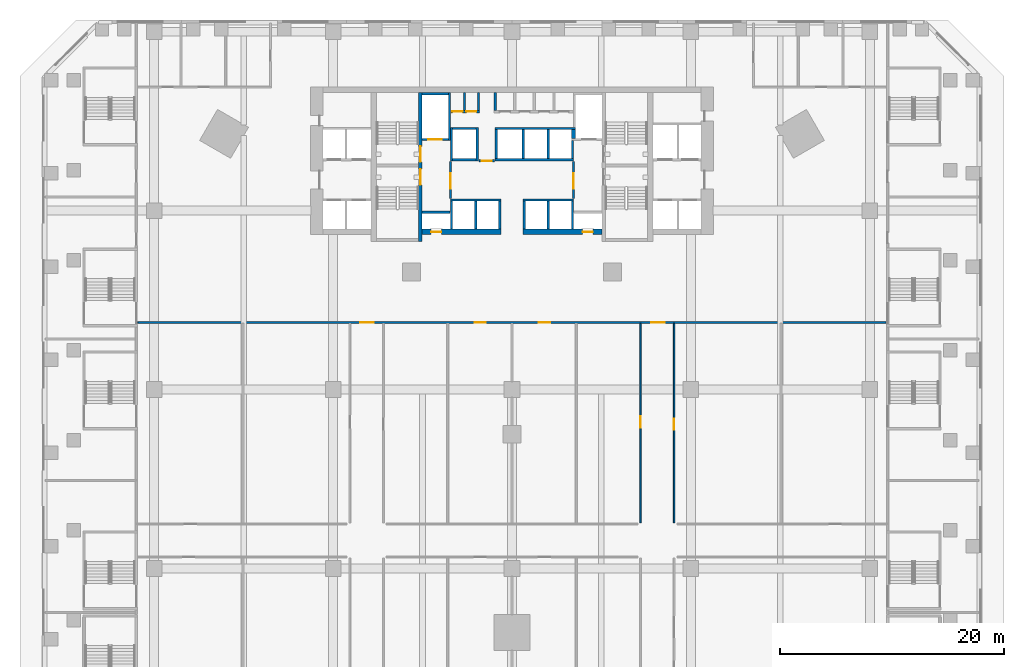
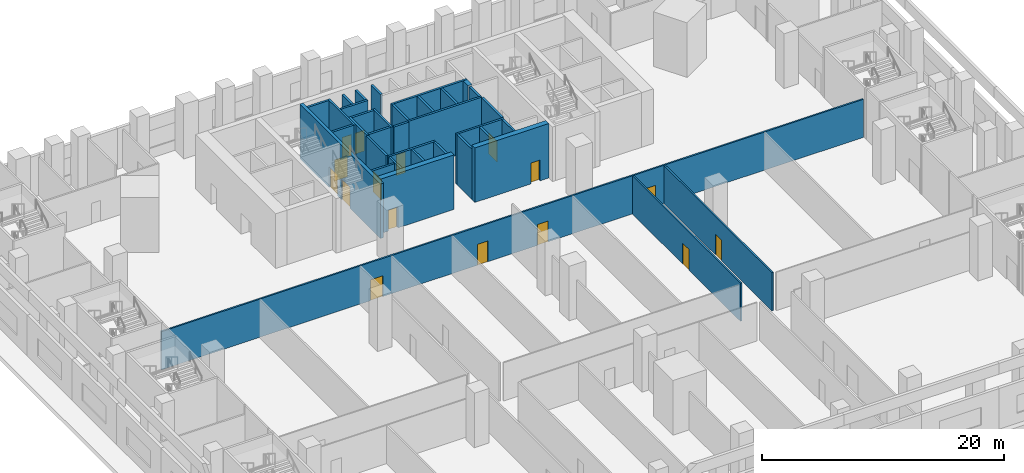
# One storey, part 7 of 22: 36 walls, 16 doors, 16 openings.
"""IFC4 building model written with IfcOpenShell, lengths in metres."""

from ifc_helpers import new_model, si_unit, direction, frame, frame_2d, origin, place, context, subcontext, project, spatial, rectangle, extrude, material, layer, layer_set, type_object, element, fill, save


model = new_model("IFC4")

# Units and contexts
model_context = context("Model", 3, precision=1e-05, world=origin(), true_north=direction((0.0, 1.0)))
body_context = subcontext(model_context, "Body", "Model", "MODEL_VIEW")
ifc_project = project(units=[si_unit("LENGTHUNIT", "METRE"), si_unit("AREAUNIT", "SQUARE_METRE"), si_unit("VOLUMEUNIT", "CUBIC_METRE"), si_unit("PLANEANGLEUNIT", "RADIAN"), si_unit("MASSUNIT", "GRAM", prefix="KILO")], contexts=[model_context])

# Site, building, storey
site_placement = place(None, origin())
site = spatial("IfcSite", under=ifc_project, at=site_placement, CompositionType="ELEMENT")
building_placement = place(site_placement, origin())
building = spatial("IfcBuilding", under=site, at=building_placement, Name="Calabash Gate Tower", CompositionType="ELEMENT")
storey_placement = place(building_placement, frame((0.0, 0.0, 34.5)))
storey = spatial("IfcBuildingStorey", under=building, at=storey_placement, Name="L04", CompositionType="ELEMENT", Elevation=34.5)

# Walls
ifc_material_1 = material(Name="Gypsum board on steel studs, mineral wool", Category="steel")
ifc_layer_1 = layer(ifc_material_1, 0.199951171875)
ifc_layer_set_1 = layer_set([ifc_layer_1], Name="Core partition 200 gypsum board")
wall_type_1 = type_object("IfcWallType", Name="Core partition 200 gypsum board", PredefinedType="PARTITIONING", material=ifc_layer_set_1)
for number, where, z_axis, x_axis, name in (
    (1, (-4.25, 16.95263671875, 0.0), (0.0, 0.0, 1.0), (0.0, 1.0, 0.0), "Core partition"),
    (2, (-3.0, 16.95263671875, 0.0), (0.0, 0.0, 1.0), (0.0, 1.0, 0.0), "Core partition"),
    (3, (-1.5, 16.95263671875, 0.0), (0.0, 0.0, 1.0), (0.0, 1.0, 0.0), "Core partition"),
):
    element("IfcWall", number, at=place(storey_placement, frame(where, z_axis=z_axis, x_axis=x_axis)), inside=storey, type_object=wall_type_1, Name=name, PredefinedType="PARTITIONING", context=body_context, shape_type="SweptSolid", body=[
        extrude(rectangle(XDim=1.599853515625, YDim=0.199951171875, at=frame_2d((0.7998046875, 0.0))), origin(), (0.0, 0.0, 1.0), 5.050048828125),
    ])

# Wall, openings, doors
ifc_material_2 = material(Name="Concrete C80/95", Category="concrete")
ifc_layer_2 = layer(ifc_material_2, 0.300048828125)
ifc_layer_set_2 = layer_set([ifc_layer_2], Name="Core wall 300 Concrete C80/95")
wall_type_2 = type_object("IfcWallType", Name="Core wall 300 Concrete C80/95", PredefinedType="SHEAR", material=ifc_layer_set_2)
wall_1_placement = place(storey_placement, frame((-8.199951171875, 5.252685546875, 0.0), z_axis=(0.0, 0.0, 1.0), x_axis=(0.0, 1.0, 0.0)))
wall_1 = element("IfcWall", 4, at=wall_1_placement, inside=storey, type_object=wall_type_2, Name="Core wall Z0-PARTW L04", PredefinedType="SHEAR", context=body_context, shape_type="SweptSolid", body=[
    extrude(rectangle(XDim=13.2998046875, YDim=0.300048828125, at=frame_2d((6.64990234375, 0.0))), origin(), (0.0, 0.0, 1.0), 5.5),
])
opening_1_placement = place(wall_1_placement, frame((7.10009765625, 0.0, 0.0)))
opening_1 = element("IfcOpeningElement", 5, at=opening_1_placement, cuts=wall_1, Name="Opening L04-001", PredefinedType="OPENING", context=body_context, shape_type="SweptSolid", body=[
    extrude(rectangle(XDim=1.39990234375, YDim=2.10009765625, at=frame_2d((0.699951171875, 1.050048828125))), frame((0.0, 0.159912109375, 0.0), z_axis=(0.0, -1.0, 0.0), x_axis=(1.0, 0.0, 0.0)), (0.0, 0.0, 1.0), 0.320068359375),
])
opening_2_placement = place(wall_1_placement, frame((5.050048828125, 0.0, 0.0)))
opening_2 = element("IfcOpeningElement", 6, at=opening_2_placement, cuts=wall_1, Name="Opening L04-002", PredefinedType="OPENING", context=body_context, shape_type="SweptSolid", body=[
    extrude(rectangle(XDim=1.39990234375, YDim=2.10009765625, at=frame_2d((0.699951171875, 1.050048828125))), frame((0.0, 0.159912109375, 0.0), z_axis=(0.0, -1.0, 0.0), x_axis=(1.0, 0.0, 0.0)), (0.0, 0.0, 1.0), 0.320068359375),
])
ifc_material_3 = material(Name="Steel fire door set with fire-resisting glazing", Category="steel")
door_type_1 = type_object("IfcDoorType", Name="Fire door D05 1400x2100 FD90", OperationType="NOTDEFINED", PredefinedType="DOOR", material=ifc_material_3)
door_1_placement = place(opening_1_placement, origin())
door_1 = element("IfcDoor", 7, at=door_1_placement, inside=storey, type_object=door_type_1, Name="Exit stair door ST1", OperationType="SINGLE_SWING_LEFT", OverallHeight=2.10009765625, OverallWidth=1.39990234375, PredefinedType="DOOR", context=body_context, shape_type="SweptSolid", body=[
    extrude(rectangle(XDim=1.39990234375, YDim=2.10009765625, at=frame_2d((0.699951171875, 1.050048828125))), frame((0.0, 0.02490234375, 0.0), z_axis=(0.0, -1.0, 0.0), x_axis=(1.0, 0.0, 0.0)), (0.0, 0.0, 1.0), 0.050048828125),
])
fill(opening_1, door_1)
door_2_placement = place(opening_2_placement, origin())
door_2 = element("IfcDoor", 8, at=door_2_placement, inside=storey, type_object=door_type_1, Name="Exit stair door ST2", OperationType="SINGLE_SWING_LEFT", OverallHeight=2.10009765625, OverallWidth=1.39990234375, PredefinedType="DOOR", context=body_context, shape_type="SweptSolid", body=[
    extrude(rectangle(XDim=1.39990234375, YDim=2.10009765625, at=frame_2d((0.699951171875, 1.050048828125))), frame((0.0, 0.02490234375, 0.0), z_axis=(0.0, -1.0, 0.0), x_axis=(1.0, 0.0, 0.0)), (0.0, 0.0, 1.0), 0.050048828125),
])
fill(opening_2, door_2)

# Wall, opening, door
ifc_material_4 = material(Name="Concrete C80/95", Category="concrete")
ifc_layer_3 = layer(ifc_material_4, 0.5)
ifc_layer_set_3 = layer_set([ifc_layer_3], Name="Core wall 500 Concrete C80/95")
wall_type_3 = type_object("IfcWallType", Name="Core wall 500 Concrete C80/95", PredefinedType="SHEAR", material=ifc_layer_set_3)
wall_2_placement = place(storey_placement, frame((-8.050048828125, 6.1025390625, 0.0), z_axis=(0.0, 0.0, 1.0), x_axis=(1.0, 0.0, 0.0)))
wall_2 = element("IfcWall", 9, at=wall_2_placement, inside=storey, type_object=wall_type_3, Name="Core wall Z0-SA L04", PredefinedType="SHEAR", context=body_context, shape_type="SweptSolid", body=[
    extrude(rectangle(XDim=7.050048828125, YDim=0.5, at=frame_2d((3.52490234375, 0.0))), origin(), (0.0, 0.0, 1.0), 5.5),
])
opening_3_placement = place(wall_2_placement, frame((0.824951171875, 0.0, 0.0)))
opening_3 = element("IfcOpeningElement", 10, at=opening_3_placement, cuts=wall_2, Name="Opening L04-014", PredefinedType="OPENING", context=body_context, shape_type="SweptSolid", body=[
    extrude(rectangle(XDim=0.89990234375, YDim=2.10009765625, at=frame_2d((0.449951171875, 1.050048828125))), frame((0.0, 0.260009765625, 0.0), z_axis=(0.0, -1.0, 0.0), x_axis=(1.0, 0.0, 0.0)), (0.0, 0.0, 1.0), 0.52001953125),
])
ifc_material_5 = material(Name="Steel fire door set with fire-resisting glazing", Category="steel")
door_type_2 = type_object("IfcDoorType", Name="Fire door D07 900x2100 FD90", OperationType="NOTDEFINED", PredefinedType="DOOR", material=ifc_material_5)
door_3_placement = place(opening_3_placement, origin())
door_3 = element("IfcDoor", 11, at=door_3_placement, inside=storey, type_object=door_type_2, Name="Electrical Riser W door", OperationType="SINGLE_SWING_LEFT", OverallHeight=2.10009765625, OverallWidth=0.89990234375, PredefinedType="DOOR", context=body_context, shape_type="SweptSolid", body=[
    extrude(rectangle(XDim=0.89990234375, YDim=2.10009765625, at=frame_2d((0.449951171875, 1.050048828125))), frame((0.0, 0.02490234375, 0.0), z_axis=(0.0, -1.0, 0.0), x_axis=(1.0, 0.0, 0.0)), (0.0, 0.0, 1.0), 0.050048828125),
])
fill(opening_3, door_3)

wall_3_placement = place(storey_placement, frame((1.0, 6.1025390625, 0.0), z_axis=(0.0, 0.0, 1.0), x_axis=(1.0, 0.0, 0.0)))
wall_3 = element("IfcWall", 12, at=wall_3_placement, inside=storey, type_object=wall_type_3, Name="Core wall Z0-SB L04", PredefinedType="SHEAR", context=body_context, shape_type="SweptSolid", body=[
    extrude(rectangle(XDim=7.050048828125, YDim=0.5, at=frame_2d((3.52490234375, 0.0))), origin(), (0.0, 0.0, 1.0), 5.5),
])
opening_4_placement = place(wall_3_placement, frame((5.324951171875, 0.0, 0.0)))
opening_4 = element("IfcOpeningElement", 13, at=opening_4_placement, cuts=wall_3, Name="Opening L04-015", PredefinedType="OPENING", context=body_context, shape_type="SweptSolid", body=[
    extrude(rectangle(XDim=0.89990234375, YDim=2.10009765625, at=frame_2d((0.449951171875, 1.050048828125))), frame((0.0, 0.260009765625, 0.0), z_axis=(0.0, -1.0, 0.0), x_axis=(1.0, 0.0, 0.0)), (0.0, 0.0, 1.0), 0.52001953125),
])
door_4_placement = place(opening_4_placement, origin())
door_4 = element("IfcDoor", 14, at=door_4_placement, inside=storey, type_object=door_type_2, Name="Mechanical Riser E door", OperationType="SINGLE_SWING_RIGHT", OverallHeight=2.10009765625, OverallWidth=0.89990234375, PredefinedType="DOOR", context=body_context, shape_type="SweptSolid", body=[
    extrude(rectangle(XDim=0.89990234375, YDim=2.10009765625, at=frame_2d((0.449951171875, 1.050048828125))), frame((0.0, 0.02490234375, 0.0), z_axis=(0.0, -1.0, 0.0), x_axis=(1.0, 0.0, 0.0)), (0.0, 0.0, 1.0), 0.050048828125),
])
fill(opening_4, door_4)

ifc_material_6 = material(Name="Gypsum board on steel studs, mineral wool", Category="steel")
ifc_layer_4 = layer(ifc_material_6, 0.14990234375)
ifc_layer_set_4 = layer_set([ifc_layer_4], Name="Partition 150 gypsum board")
wall_type_4 = type_object("IfcWallType", Name="Partition 150 gypsum board", PredefinedType="PARTITIONING", material=ifc_layer_set_4)
wall_4_placement = place(storey_placement, frame((11.5, -19.925048828125, 0.0), z_axis=(0.0, 0.0, 1.0), x_axis=(0.0, 1.0, 0.0)))
wall_4 = element("IfcWall", 15, at=wall_4_placement, inside=storey, type_object=wall_type_4, Name="Partition", PredefinedType="PARTITIONING", context=body_context, shape_type="SweptSolid", body=[
    extrude(rectangle(XDim=17.85009765625, YDim=0.14990234375, at=frame_2d((8.925048828125, 0.0))), origin(), (0.0, 0.0, 1.0), 3.85009765625),
])
opening_5_placement = place(wall_4_placement, frame((8.52490234375, 0.0, 0.0)))
opening_5 = element("IfcOpeningElement", 16, at=opening_5_placement, cuts=wall_4, Name="Opening L04-055", PredefinedType="OPENING", context=body_context, shape_type="SweptSolid", body=[
    extrude(rectangle(XDim=1.0, YDim=2.10009765625, at=frame_2d((0.5, 1.050048828125))), frame((0.0, 0.0849609375, 0.0), z_axis=(0.0, -1.0, 0.0), x_axis=(1.0, 0.0, 0.0)), (0.0, 0.0, 1.0), 0.169921875),
])
ifc_material_7 = material(Name="Steel fire door set with fire-resisting glazing", Category="steel")
door_type_3 = type_object("IfcDoorType", Name="Fire door D11 1000x2100 FD60", OperationType="NOTDEFINED", PredefinedType="DOOR", material=ifc_material_7)
door_5_placement = place(opening_5_placement, origin())
door_5 = element("IfcDoor", 17, at=door_5_placement, inside=storey, type_object=door_type_3, Name="Meeting Room 406 door", OperationType="SINGLE_SWING_RIGHT", OverallHeight=2.10009765625, OverallWidth=1.0, PredefinedType="DOOR", context=body_context, shape_type="SweptSolid", body=[
    extrude(rectangle(XDim=1.0, YDim=2.10009765625, at=frame_2d((0.5, 1.050048828125))), frame((0.0, 0.02490234375, 0.0), z_axis=(0.0, -1.0, 0.0), x_axis=(1.0, 0.0, 0.0)), (0.0, 0.0, 1.0), 0.050048828125),
])
fill(opening_5, door_5)

wall_5_placement = place(storey_placement, frame((14.5, -19.925048828125, 0.0), z_axis=(0.0, 0.0, 1.0), x_axis=(0.0, 1.0, 0.0)))
wall_5 = element("IfcWall", 18, at=wall_5_placement, inside=storey, type_object=wall_type_4, Name="Partition", PredefinedType="PARTITIONING", context=body_context, shape_type="SweptSolid", body=[
    extrude(rectangle(XDim=17.85009765625, YDim=0.14990234375, at=frame_2d((8.925048828125, 0.0))), origin(), (0.0, 0.0, 1.0), 3.85009765625),
])
opening_6_placement = place(wall_5_placement, frame((8.324951171875, 0.0, 0.0)))
opening_6 = element("IfcOpeningElement", 19, at=opening_6_placement, cuts=wall_5, Name="Opening L04-056", PredefinedType="OPENING", context=body_context, shape_type="SweptSolid", body=[
    extrude(rectangle(XDim=1.0, YDim=2.10009765625, at=frame_2d((0.5, 1.050048828125))), frame((0.0, 0.0849609375, 0.0), z_axis=(0.0, -1.0, 0.0), x_axis=(1.0, 0.0, 0.0)), (0.0, 0.0, 1.0), 0.169921875),
])
door_6_placement = place(opening_6_placement, origin())
door_6 = element("IfcDoor", 20, at=door_6_placement, inside=storey, type_object=door_type_3, Name="Meeting Room 407 door", OperationType="SINGLE_SWING_LEFT", OverallHeight=2.10009765625, OverallWidth=1.0, PredefinedType="DOOR", context=body_context, shape_type="SweptSolid", body=[
    extrude(rectangle(XDim=1.0, YDim=2.10009765625, at=frame_2d((0.5, 1.050048828125))), frame((0.0, 0.02490234375, 0.0), z_axis=(0.0, -1.0, 0.0), x_axis=(1.0, 0.0, 0.0)), (0.0, 0.0, 1.0), 0.050048828125),
])
fill(opening_6, door_6)

# Wall, openings, doors
wall_6_placement = place(storey_placement, frame((-33.4599609375, -2.0, 0.0), z_axis=(0.0, 0.0, 1.0), x_axis=(1.0, 0.0, 0.0)))
wall_6 = element("IfcWall", 21, at=wall_6_placement, inside=storey, type_object=wall_type_4, Name="Partition", PredefinedType="PARTITIONING", context=body_context, shape_type="SweptSolid", body=[
    extrude(rectangle(XDim=66.919921875, YDim=0.14990234375, at=frame_2d((33.4599609375, 0.0))), origin(), (0.0, 0.0, 1.0), 3.85009765625),
])
opening_7_placement = place(wall_6_placement, frame((19.909912109375, 0.0, 0.0)))
opening_7 = element("IfcOpeningElement", 22, at=opening_7_placement, cuts=wall_6, Name="Opening L04-046", PredefinedType="OPENING", context=body_context, shape_type="SweptSolid", body=[
    extrude(rectangle(XDim=1.199951171875, YDim=2.10009765625, at=frame_2d((0.60009765625, 1.050048828125))), frame((0.0, 0.0849609375, 0.0), z_axis=(0.0, -1.0, 0.0), x_axis=(1.0, 0.0, 0.0)), (0.0, 0.0, 1.0), 0.169921875),
])
opening_8_placement = place(wall_6_placement, frame((45.909912109375, 0.0, 0.0)))
opening_8 = element("IfcOpeningElement", 23, at=opening_8_placement, cuts=wall_6, Name="Opening L04-047", PredefinedType="OPENING", context=body_context, shape_type="SweptSolid", body=[
    extrude(rectangle(XDim=1.199951171875, YDim=2.10009765625, at=frame_2d((0.60009765625, 1.050048828125))), frame((0.0, 0.0849609375, 0.0), z_axis=(0.0, -1.0, 0.0), x_axis=(1.0, 0.0, 0.0)), (0.0, 0.0, 1.0), 0.169921875),
])
opening_9_placement = place(wall_6_placement, frame((30.110107421875, 0.0, 0.0)))
opening_9 = element("IfcOpeningElement", 24, at=opening_9_placement, cuts=wall_6, Name="Opening L04-053", PredefinedType="OPENING", context=body_context, shape_type="SweptSolid", body=[
    extrude(rectangle(XDim=1.0, YDim=2.10009765625, at=frame_2d((0.5, 1.050048828125))), frame((0.0, 0.0849609375, 0.0), z_axis=(0.0, -1.0, 0.0), x_axis=(1.0, 0.0, 0.0)), (0.0, 0.0, 1.0), 0.169921875),
])
opening_10_placement = place(wall_6_placement, frame((35.860107421875, 0.0, 0.0)))
opening_10 = element("IfcOpeningElement", 25, at=opening_10_placement, cuts=wall_6, Name="Opening L04-054", PredefinedType="OPENING", context=body_context, shape_type="SweptSolid", body=[
    extrude(rectangle(XDim=1.0, YDim=2.10009765625, at=frame_2d((0.5, 1.050048828125))), frame((0.0, 0.0849609375, 0.0), z_axis=(0.0, -1.0, 0.0), x_axis=(1.0, 0.0, 0.0)), (0.0, 0.0, 1.0), 0.169921875),
])
ifc_material_8 = material(Name="Steel fire door set with fire-resisting glazing", Category="steel")
door_type_4 = type_object("IfcDoorType", Name="Fire door D09 1200x2100 FD60", OperationType="NOTDEFINED", PredefinedType="DOOR", material=ifc_material_8)
door_7_placement = place(opening_7_placement, origin())
door_7 = element("IfcDoor", 26, at=door_7_placement, inside=storey, type_object=door_type_4, Name="Meeting Link door", OperationType="SINGLE_SWING_RIGHT", OverallHeight=2.10009765625, OverallWidth=1.199951171875, PredefinedType="DOOR", context=body_context, shape_type="SweptSolid", body=[
    extrude(rectangle(XDim=1.199951171875, YDim=2.10009765625, at=frame_2d((0.60009765625, 1.050048828125))), frame((0.0, 0.02490234375, 0.0), z_axis=(0.0, -1.0, 0.0), x_axis=(1.0, 0.0, 0.0)), (0.0, 0.0, 1.0), 0.050048828125),
])
fill(opening_7, door_7)
door_8_placement = place(opening_8_placement, origin())
door_8 = element("IfcDoor", 27, at=door_8_placement, inside=storey, type_object=door_type_4, Name="Meeting Link door", OperationType="SINGLE_SWING_RIGHT", OverallHeight=2.10009765625, OverallWidth=1.199951171875, PredefinedType="DOOR", context=body_context, shape_type="SweptSolid", body=[
    extrude(rectangle(XDim=1.199951171875, YDim=2.10009765625, at=frame_2d((0.60009765625, 1.050048828125))), frame((0.0, 0.02490234375, 0.0), z_axis=(0.0, -1.0, 0.0), x_axis=(1.0, 0.0, 0.0)), (0.0, 0.0, 1.0), 0.050048828125),
])
fill(opening_8, door_8)
door_9_placement = place(opening_9_placement, origin())
door_9 = element("IfcDoor", 28, at=door_9_placement, inside=storey, type_object=door_type_3, Name="Meeting Room 404 door", OperationType="SINGLE_SWING_LEFT", OverallHeight=2.10009765625, OverallWidth=1.0, PredefinedType="DOOR", context=body_context, shape_type="SweptSolid", body=[
    extrude(rectangle(XDim=1.0, YDim=2.10009765625, at=frame_2d((0.5, 1.050048828125))), frame((0.0, 0.02490234375, 0.0), z_axis=(0.0, -1.0, 0.0), x_axis=(1.0, 0.0, 0.0)), (0.0, 0.0, 1.0), 0.050048828125),
])
fill(opening_9, door_9)
door_10_placement = place(opening_10_placement, origin())
door_10 = element("IfcDoor", 29, at=door_10_placement, inside=storey, type_object=door_type_3, Name="Meeting Room 405 door", OperationType="SINGLE_SWING_LEFT", OverallHeight=2.10009765625, OverallWidth=1.0, PredefinedType="DOOR", context=body_context, shape_type="SweptSolid", body=[
    extrude(rectangle(XDim=1.0, YDim=2.10009765625, at=frame_2d((0.5, 1.050048828125))), frame((0.0, 0.02490234375, 0.0), z_axis=(0.0, -1.0, 0.0), x_axis=(1.0, 0.0, 0.0)), (0.0, 0.0, 1.0), 0.050048828125),
])
fill(opening_10, door_10)

# Walls
ifc_material_9 = material(Name="Concrete C40/50", Category="concrete")
ifc_layer_5 = layer(ifc_material_9, 0.199951171875)
ifc_layer_set_5 = layer_set([ifc_layer_5], Name="Shaft wall 200 Concrete C40/50")
wall_type_5 = type_object("IfcWallType", Name="Shaft wall 200 Concrete C40/50", PredefinedType="SOLIDWALL", material=ifc_layer_set_5)
for number, where, z_axis, x_axis, name in (
    (30, (-5.39990234375, 6.3525390625, 0.0), (0.0, 0.0, 1.0), (0.0, 1.0, 0.0), "Shaft wall"),
    (31, (-3.25, 6.3525390625, 0.0), (0.0, 0.0, 1.0), (0.0, 1.0, 0.0), "Shaft wall"),
    (32, (-1.10009765625, 6.3525390625, 0.0), (0.0, 0.0, 1.0), (0.0, 1.0, 0.0), "Shaft wall"),
    (33, (1.10009765625, 6.3525390625, 0.0), (0.0, 0.0, 1.0), (0.0, 1.0, 0.0), "Shaft wall"),
    (34, (3.25, 6.3525390625, 0.0), (0.0, 0.0, 1.0), (0.0, 1.0, 0.0), "Shaft wall"),
    (35, (5.39990234375, 6.3525390625, 0.0), (0.0, 0.0, 1.0), (0.0, 1.0, 0.0), "Shaft wall"),
    (36, (-8.050048828125, 7.8525390625, 0.0), (0.0, 0.0, 1.0), (1.0, 0.0, 0.0), "Shaft wall"),
):
    element("IfcWall", number, at=place(storey_placement, frame(where, z_axis=z_axis, x_axis=x_axis)), inside=storey, type_object=wall_type_5, Name=name, PredefinedType="SOLIDWALL", context=body_context, shape_type="SweptSolid", body=[
        extrude(rectangle(XDim=2.5, YDim=0.199951171875, at=frame_2d((1.25, 0.0))), origin(), (0.0, 0.0, 1.0), 5.050048828125),
    ])
for number, where, z_axis, x_axis, name in (
    (37, (-5.5, 8.95263671875, 0.0), (0.0, 0.0, 1.0), (1.0, 0.0, 0.0), "Shaft wall"),
    (38, (1.0, 8.95263671875, 0.0), (0.0, 0.0, 1.0), (1.0, 0.0, 0.0), "Shaft wall"),
):
    element("IfcWall", number, at=place(storey_placement, frame(where, z_axis=z_axis, x_axis=x_axis)), inside=storey, type_object=wall_type_5, Name=name, PredefinedType="SOLIDWALL", context=body_context, shape_type="SweptSolid", body=[
        extrude(rectangle(XDim=4.5, YDim=0.199951171875, at=frame_2d((2.25, 0.0))), origin(), (0.0, 0.0, 1.0), 5.050048828125),
    ])

# Wall, opening, door
wall_7_placement = place(storey_placement, frame((-5.5, 9.1025390625, 0.0), z_axis=(0.0, 0.0, 1.0), x_axis=(0.0, 1.0, 0.0)))
wall_7 = element("IfcWall", 39, at=wall_7_placement, inside=storey, type_object=wall_type_5, Name="Shaft wall", PredefinedType="SOLIDWALL", context=body_context, shape_type="SweptSolid", body=[
    extrude(rectangle(XDim=3.300048828125, YDim=0.199951171875, at=frame_2d((1.64990234375, 0.0))), origin(), (0.0, 0.0, 1.0), 5.050048828125),
])
opening_11_placement = place(wall_7_placement, frame((0.85009765625, 0.0, 0.0)))
opening_11 = element("IfcOpeningElement", 40, at=opening_11_placement, cuts=wall_7, Name="Opening L04-006", PredefinedType="OPENING", context=body_context, shape_type="SweptSolid", body=[
    extrude(rectangle(XDim=1.39990234375, YDim=2.10009765625, at=frame_2d((0.699951171875, 1.050048828125))), frame((0.0, 0.10986328125, 0.0), z_axis=(0.0, -1.0, 0.0), x_axis=(1.0, 0.0, 0.0)), (0.0, 0.0, 1.0), 0.219970703125),
])
door_11_placement = place(opening_11_placement, origin())
door_11 = element("IfcDoor", 41, at=door_11_placement, inside=storey, type_object=door_type_1, Name="Firefighting Lobby W door", OperationType="SINGLE_SWING_RIGHT", OverallHeight=2.10009765625, OverallWidth=1.39990234375, PredefinedType="DOOR", context=body_context, shape_type="SweptSolid", body=[
    extrude(rectangle(XDim=1.39990234375, YDim=2.10009765625, at=frame_2d((0.699951171875, 1.050048828125))), frame((0.0, 0.02490234375, 0.0), z_axis=(0.0, -1.0, 0.0), x_axis=(1.0, 0.0, 0.0)), (0.0, 0.0, 1.0), 0.050048828125),
])
fill(opening_11, door_11)

wall_8_placement = place(storey_placement, frame((5.5, 9.1025390625, 0.0), z_axis=(0.0, 0.0, 1.0), x_axis=(0.0, 1.0, 0.0)))
wall_8 = element("IfcWall", 42, at=wall_8_placement, inside=storey, type_object=wall_type_5, Name="Shaft wall", PredefinedType="SOLIDWALL", context=body_context, shape_type="SweptSolid", body=[
    extrude(rectangle(XDim=3.300048828125, YDim=0.199951171875, at=frame_2d((1.64990234375, 0.0))), origin(), (0.0, 0.0, 1.0), 5.050048828125),
])
opening_12_placement = place(wall_8_placement, frame((0.85009765625, 0.0, 0.0)))
opening_12 = element("IfcOpeningElement", 43, at=opening_12_placement, cuts=wall_8, Name="Opening L04-007", PredefinedType="OPENING", context=body_context, shape_type="SweptSolid", body=[
    extrude(rectangle(XDim=1.39990234375, YDim=2.10009765625, at=frame_2d((0.699951171875, 1.050048828125))), frame((0.0, 0.10986328125, 0.0), z_axis=(0.0, -1.0, 0.0), x_axis=(1.0, 0.0, 0.0)), (0.0, 0.0, 1.0), 0.219970703125),
])
door_12_placement = place(opening_12_placement, origin())
door_12 = element("IfcDoor", 44, at=door_12_placement, inside=storey, type_object=door_type_1, Name="Firefighting Lobby E door", OperationType="SINGLE_SWING_LEFT", OverallHeight=2.10009765625, OverallWidth=1.39990234375, PredefinedType="DOOR", context=body_context, shape_type="SweptSolid", body=[
    extrude(rectangle(XDim=1.39990234375, YDim=2.10009765625, at=frame_2d((0.699951171875, 1.050048828125))), frame((0.0, 0.02490234375, 0.0), z_axis=(0.0, -1.0, 0.0), x_axis=(1.0, 0.0, 0.0)), (0.0, 0.0, 1.0), 0.050048828125),
])
fill(opening_12, door_12)

wall_9_placement = place(storey_placement, frame((-2.949951171875, 12.45263671875, 0.0), z_axis=(0.0, 0.0, 1.0), x_axis=(1.0, 0.0, 0.0)))
wall_9 = element("IfcWall", 45, at=wall_9_placement, inside=storey, type_object=wall_type_5, Name="Shaft wall", PredefinedType="SOLIDWALL", context=body_context, shape_type="SweptSolid", body=[
    extrude(rectangle(XDim=1.39990234375, YDim=0.199951171875, at=frame_2d((0.699951171875, 0.0))), origin(), (0.0, 0.0, 1.0), 5.050048828125),
])
opening_13_placement = place(wall_9_placement, frame((0.25, 0.0, 0.0)))
opening_13 = element("IfcOpeningElement", 46, at=opening_13_placement, cuts=wall_9, Name="Opening L04-005", PredefinedType="OPENING", context=body_context, shape_type="SweptSolid", body=[
    extrude(rectangle(XDim=0.89990234375, YDim=2.10009765625, at=frame_2d((0.449951171875, 1.050048828125))), frame((0.0, 0.10986328125, 0.0), z_axis=(0.0, -1.0, 0.0), x_axis=(1.0, 0.0, 0.0)), (0.0, 0.0, 1.0), 0.219970703125),
])
ifc_material_10 = material(Name="Steel fire door set with fire-resisting glazing", Category="steel")
door_type_5 = type_object("IfcDoorType", Name="Fire door D06 900x2100 FD60", OperationType="NOTDEFINED", PredefinedType="DOOR", material=ifc_material_10)
door_13_placement = place(opening_13_placement, origin())
door_13 = element("IfcDoor", 47, at=door_13_placement, inside=storey, type_object=door_type_5, Name="Service Corridor door", OperationType="SINGLE_SWING_RIGHT", OverallHeight=2.10009765625, OverallWidth=0.89990234375, PredefinedType="DOOR", context=body_context, shape_type="SweptSolid", body=[
    extrude(rectangle(XDim=0.89990234375, YDim=2.10009765625, at=frame_2d((0.449951171875, 1.050048828125))), frame((0.0, 0.02490234375, 0.0), z_axis=(0.0, -1.0, 0.0), x_axis=(1.0, 0.0, 0.0)), (0.0, 0.0, 1.0), 0.050048828125),
])
fill(opening_13, door_13)

# Walls
wall_10_placement = place(storey_placement, frame((-5.39990234375, 12.45263671875, 0.0), z_axis=(0.0, 0.0, 1.0), x_axis=(0.0, 1.0, 0.0)))
element("IfcWall", 48, at=wall_10_placement, inside=storey, type_object=wall_type_5, Name="Shaft wall", PredefinedType="SOLIDWALL", context=body_context, shape_type="SweptSolid", body=[
    extrude(rectangle(XDim=3.0, YDim=0.199951171875, at=frame_2d((1.5, 0.0))), origin(), (0.0, 0.0, 1.0), 5.050048828125),
])
wall_11_placement = place(storey_placement, frame((-5.300048828125, 12.552490234375, 0.0), z_axis=(0.0, 0.0, 1.0), x_axis=(1.0, 0.0, 0.0)))
element("IfcWall", 49, at=wall_11_placement, inside=storey, type_object=wall_type_5, Name="Shaft wall", PredefinedType="SOLIDWALL", context=body_context, shape_type="SweptSolid", body=[
    extrude(rectangle(XDim=2.10009765625, YDim=0.199951171875, at=frame_2d((1.050048828125, 0.0))), origin(), (0.0, 0.0, 1.0), 5.050048828125),
])
wall_12_placement = place(storey_placement, frame((-3.10009765625, 12.45263671875, 0.0), z_axis=(0.0, 0.0, 1.0), x_axis=(0.0, 1.0, 0.0)))
element("IfcWall", 50, at=wall_12_placement, inside=storey, type_object=wall_type_5, Name="Shaft wall", PredefinedType="SOLIDWALL", context=body_context, shape_type="SweptSolid", body=[
    extrude(rectangle(XDim=3.0, YDim=0.199951171875, at=frame_2d((1.5, 0.0))), origin(), (0.0, 0.0, 1.0), 5.050048828125),
])
wall_13_placement = place(storey_placement, frame((-1.5, 12.552490234375, 0.0), z_axis=(0.0, 0.0, 1.0), x_axis=(1.0, 0.0, 0.0)))
element("IfcWall", 51, at=wall_13_placement, inside=storey, type_object=wall_type_5, Name="Shaft wall", PredefinedType="SOLIDWALL", context=body_context, shape_type="SweptSolid", body=[
    extrude(rectangle(XDim=7.0, YDim=0.199951171875, at=frame_2d((3.5, 0.0))), origin(), (0.0, 0.0, 1.0), 5.050048828125),
])
for number, where, z_axis, x_axis, name in (
    (52, (-1.39990234375, 12.652587890625, 0.0), (0.0, 0.0, 1.0), (0.0, 1.0, 0.0), "Shaft wall"),
    (53, (1.0, 12.652587890625, 0.0), (0.0, 0.0, 1.0), (0.0, 1.0, 0.0), "Shaft wall"),
    (54, (3.25, 12.652587890625, 0.0), (0.0, 0.0, 1.0), (0.0, 1.0, 0.0), "Shaft wall"),
):
    element("IfcWall", number, at=place(storey_placement, frame(where, z_axis=z_axis, x_axis=x_axis)), inside=storey, type_object=wall_type_5, Name=name, PredefinedType="SOLIDWALL", context=body_context, shape_type="SweptSolid", body=[
        extrude(rectangle(XDim=2.60009765625, YDim=0.199951171875, at=frame_2d((1.300048828125, 0.0))), origin(), (0.0, 0.0, 1.0), 5.050048828125),
    ])
wall_14_placement = place(storey_placement, frame((5.39990234375, 12.652587890625, 0.0), z_axis=(0.0, 0.0, 1.0), x_axis=(0.0, 1.0, 0.0)))
element("IfcWall", 55, at=wall_14_placement, inside=storey, type_object=wall_type_5, Name="Shaft wall", PredefinedType="SOLIDWALL", context=body_context, shape_type="SweptSolid", body=[
    extrude(rectangle(XDim=1.60009765625, YDim=0.199951171875, at=frame_2d((0.800048828125, 0.0))), origin(), (0.0, 0.0, 1.0), 5.050048828125),
])

# Wall, opening, door
wall_15_placement = place(storey_placement, frame((-8.050048828125, 14.3525390625, 0.0), z_axis=(0.0, 0.0, 1.0), x_axis=(1.0, 0.0, 0.0)))
wall_15 = element("IfcWall", 56, at=wall_15_placement, inside=storey, type_object=wall_type_5, Name="Shaft wall", PredefinedType="SOLIDWALL", context=body_context, shape_type="SweptSolid", body=[
    extrude(rectangle(XDim=2.35009765625, YDim=0.199951171875, at=frame_2d((1.175048828125, 0.0))), origin(), (0.0, 0.0, 1.0), 5.050048828125),
])
opening_14_placement = place(wall_15_placement, frame((0.574951171875, 0.0, 0.0)))
opening_14 = element("IfcOpeningElement", 57, at=opening_14_placement, cuts=wall_15, Name="Opening LD-FF1", PredefinedType="OPENING", context=body_context, shape_type="SweptSolid", body=[
    extrude(rectangle(XDim=1.199951171875, YDim=2.10009765625, at=frame_2d((0.60009765625, 1.050048828125))), frame((0.0, 0.10986328125, 0.0), z_axis=(0.0, -1.0, 0.0), x_axis=(1.0, 0.0, 0.0)), (0.0, 0.0, 1.0), 0.219970703125),
])
ifc_material_11 = material(Name="Stainless steel sliding door leaves", Category="steel")
door_type_6 = type_object("IfcDoorType", Name="Lift landing door LS3 1200x2100 FD90", OperationType="DOUBLE_DOOR_SLIDING", PredefinedType="DOOR", material=ifc_material_11)
door_14_placement = place(opening_14_placement, origin())
door_14 = element("IfcDoor", 58, at=door_14_placement, inside=storey, type_object=door_type_6, Name="Lift landing door FF1", OperationType="DOUBLE_DOOR_SLIDING", OverallHeight=2.10009765625, OverallWidth=1.199951171875, PredefinedType="DOOR", context=body_context, shape_type="SweptSolid", body=[
    extrude(rectangle(XDim=1.199951171875, YDim=2.10009765625, at=frame_2d((0.60009765625, 1.050048828125))), frame((0.0, 0.02490234375, 0.0), z_axis=(0.0, -1.0, 0.0), x_axis=(1.0, 0.0, 0.0)), (0.0, 0.0, 1.0), 0.050048828125),
])
fill(opening_14, door_14)

# Walls
wall_16_placement = place(storey_placement, frame((-5.60009765625, 14.252685546875, 0.0), z_axis=(0.0, 0.0, 1.0), x_axis=(0.0, 1.0, 0.0)))
element("IfcWall", 59, at=wall_16_placement, inside=storey, type_object=wall_type_5, Name="Shaft wall", PredefinedType="SOLIDWALL", context=body_context, shape_type="SweptSolid", body=[
    extrude(rectangle(XDim=4.2998046875, YDim=0.199951171875, at=frame_2d((2.14990234375, 0.0))), origin(), (0.0, 0.0, 1.0), 5.050048828125),
])
wall_17_placement = place(storey_placement, frame((5.5, 14.45263671875, 0.0), z_axis=(0.0, 0.0, 1.0), x_axis=(0.0, 1.0, 0.0)))
element("IfcWall", 60, at=wall_17_placement, inside=storey, type_object=wall_type_5, Name="Shaft wall", PredefinedType="SOLIDWALL", context=body_context, shape_type="SweptSolid", body=[
    extrude(rectangle(XDim=0.800048828125, YDim=0.39990234375, at=frame_2d((0.39990234375, 0.0))), origin(), (0.0, 0.0, 1.0), 5.050048828125),
])
wall_18_placement = place(storey_placement, frame((-5.300048828125, 15.3525390625, 0.0), z_axis=(0.0, 0.0, 1.0), x_axis=(1.0, 0.0, 0.0)))
element("IfcWall", 61, at=wall_18_placement, inside=storey, type_object=wall_type_5, Name="Shaft wall", PredefinedType="SOLIDWALL", context=body_context, shape_type="SweptSolid", body=[
    extrude(rectangle(XDim=2.10009765625, YDim=0.199951171875, at=frame_2d((1.050048828125, 0.0))), origin(), (0.0, 0.0, 1.0), 5.050048828125),
])
wall_19_placement = place(storey_placement, frame((-1.5, 15.3525390625, 0.0), z_axis=(0.0, 0.0, 1.0), x_axis=(1.0, 0.0, 0.0)))
element("IfcWall", 62, at=wall_19_placement, inside=storey, type_object=wall_type_5, Name="Shaft wall", PredefinedType="SOLIDWALL", context=body_context, shape_type="SweptSolid", body=[
    extrude(rectangle(XDim=7.199951171875, YDim=0.199951171875, at=frame_2d((3.60009765625, 0.0))), origin(), (0.0, 0.0, 1.0), 5.050048828125),
])

# Wall, openings, doors
wall_20_placement = place(storey_placement, frame((-5.449951171875, 16.8525390625, 0.0), z_axis=(0.0, 0.0, 1.0), x_axis=(1.0, 0.0, 0.0)))
wall_20 = element("IfcWall", 63, at=wall_20_placement, inside=storey, type_object=wall_type_5, Name="Shaft wall", PredefinedType="SOLIDWALL", context=body_context, shape_type="SweptSolid", body=[
    extrude(rectangle(XDim=2.550048828125, YDim=0.199951171875, at=frame_2d((1.27490234375, 0.0))), origin(), (0.0, 0.0, 1.0), 5.050048828125),
])
opening_15_placement = place(wall_20_placement, frame((0.125, 0.0, 0.0)))
opening_15 = element("IfcOpeningElement", 64, at=opening_15_placement, cuts=wall_20, Name="Opening L04-008", PredefinedType="OPENING", context=body_context, shape_type="SweptSolid", body=[
    extrude(rectangle(XDim=0.89990234375, YDim=2.10009765625, at=frame_2d((0.449951171875, 1.050048828125))), frame((0.0, 0.10986328125, 0.0), z_axis=(0.0, -1.0, 0.0), x_axis=(1.0, 0.0, 0.0)), (0.0, 0.0, 1.0), 0.219970703125),
])
opening_16_placement = place(wall_20_placement, frame((1.375, 0.0, 0.0)))
opening_16 = element("IfcOpeningElement", 65, at=opening_16_placement, cuts=wall_20, Name="Opening L04-009", PredefinedType="OPENING", context=body_context, shape_type="SweptSolid", body=[
    extrude(rectangle(XDim=0.89990234375, YDim=2.10009765625, at=frame_2d((0.449951171875, 1.050048828125))), frame((0.0, 0.10986328125, 0.0), z_axis=(0.0, -1.0, 0.0), x_axis=(1.0, 0.0, 0.0)), (0.0, 0.0, 1.0), 0.219970703125),
])
door_15_placement = place(opening_15_placement, origin())
door_15 = element("IfcDoor", 66, at=door_15_placement, inside=storey, type_object=door_type_5, Name="Cleaner's Store door", OperationType="SINGLE_SWING_LEFT", OverallHeight=2.10009765625, OverallWidth=0.89990234375, PredefinedType="DOOR", context=body_context, shape_type="SweptSolid", body=[
    extrude(rectangle(XDim=0.89990234375, YDim=2.10009765625, at=frame_2d((0.449951171875, 1.050048828125))), frame((0.0, 0.02490234375, 0.0), z_axis=(0.0, -1.0, 0.0), x_axis=(1.0, 0.0, 0.0)), (0.0, 0.0, 1.0), 0.050048828125),
])
fill(opening_15, door_15)
door_16_placement = place(opening_16_placement, origin())
door_16 = element("IfcDoor", 67, at=door_16_placement, inside=storey, type_object=door_type_5, Name="Cleaner's Store door", OperationType="SINGLE_SWING_LEFT", OverallHeight=2.10009765625, OverallWidth=0.89990234375, PredefinedType="DOOR", context=body_context, shape_type="SweptSolid", body=[
    extrude(rectangle(XDim=0.89990234375, YDim=2.10009765625, at=frame_2d((0.449951171875, 1.050048828125))), frame((0.0, 0.02490234375, 0.0), z_axis=(0.0, -1.0, 0.0), x_axis=(1.0, 0.0, 0.0)), (0.0, 0.0, 1.0), 0.050048828125),
])
fill(opening_16, door_16)

# Wall
wall_21_placement = place(storey_placement, frame((-8.050048828125, 18.45263671875, 0.0), z_axis=(0.0, 0.0, 1.0), x_axis=(1.0, 0.0, 0.0)))
element("IfcWall", 68, at=wall_21_placement, inside=storey, type_object=wall_type_5, Name="Shaft wall", PredefinedType="SOLIDWALL", context=body_context, shape_type="SweptSolid", body=[
    extrude(rectangle(XDim=2.35009765625, YDim=0.199951171875, at=frame_2d((1.175048828125, 0.0))), origin(), (0.0, 0.0, 1.0), 5.050048828125),
])

save(model, "model.ifc")
